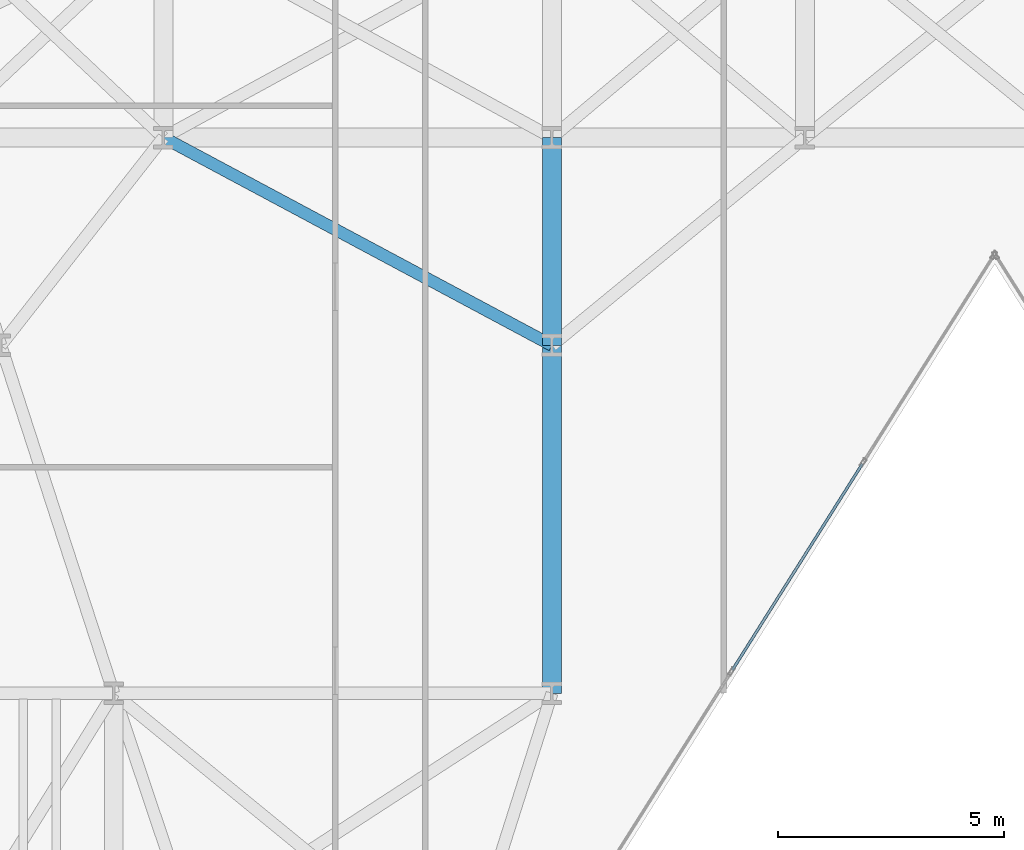
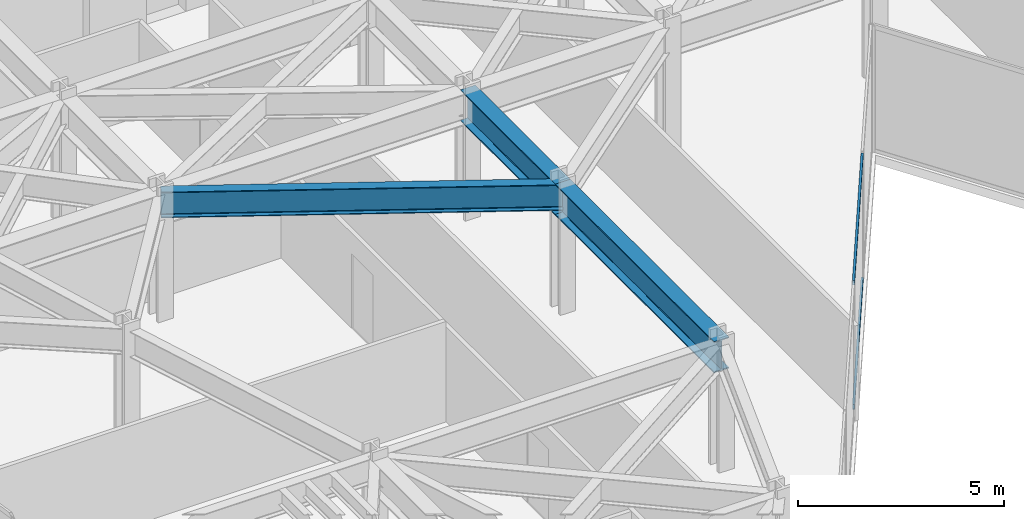
# One storey, part 9 of 24: 3 beams, 2 members, 1 element without a shape of its own.
"""IFC4 building model written with IfcOpenShell, lengths in metres."""

from ifc_helpers import new_model, si_unit, direction, frame, origin, origin_2d, place, context, subcontext, project, spatial, hollow_rectangle, i_section, extrude, material, layer, layer_set, material_profile, profile_set, type_object, element, aggregate, save


model = new_model("IFC4")

# Units and contexts
model_context = context("Model", 3, precision=1e-05, world=origin(), true_north=direction((0.0, 1.0)))
body_context = subcontext(model_context, "Body", "Model", "MODEL_VIEW")
ifc_project = project(units=[si_unit("LENGTHUNIT", "METRE"), si_unit("AREAUNIT", "SQUARE_METRE"), si_unit("VOLUMEUNIT", "CUBIC_METRE"), si_unit("PLANEANGLEUNIT", "RADIAN"), si_unit("MASSUNIT", "GRAM", prefix="KILO")], contexts=[model_context])

# Site, building, storey
site_placement = place(None, origin())
site = spatial("IfcSite", under=ifc_project, at=site_placement, CompositionType="ELEMENT")
building_placement = place(site_placement, origin())
building = spatial("IfcBuilding", under=site, at=building_placement, Name="Kravanh Interchange Tower", CompositionType="ELEMENT")
storey_placement = place(building_placement, frame((0.0, 0.0, 77.5)))
storey = spatial("IfcBuildingStorey", under=building, at=storey_placement, Name="L18", CompositionType="ELEMENT", Elevation=77.5)

# Curtain wall, members
ifc_material_1 = material(Name="Anodised Bronze Aluminium", Category="aluminium")
ifc_layer = layer(ifc_material_1, 0.179931640625)
ifc_layer_set = layer_set([ifc_layer], Name="Unitised Curtain Wall System CW-Z1 Lower Office")
curtain_wall_type = type_object("IfcCurtainWallType", Name="Unitised Curtain Wall System CW-Z1 Lower Office", PredefinedType="NOTDEFINED", material=ifc_layer_set)
curtain_wall_placement = place(storey_placement, origin())
curtain_wall = element("IfcCurtainWall", 1, at=curtain_wall_placement, inside=storey, type_object=curtain_wall_type, Name="L18 Unitised Curtain Wall CW-L18-05", PredefinedType="NOTDEFINED")
ifc_material_2 = material(Name="Anodised Bronze Aluminium", Category="aluminium")
ifc_material_profile_1 = material_profile(ifc_material_2, hollow_rectangle(XDim=0.06005859375, YDim=0.139892578125, WallThickness=0.00390625, at=origin_2d()), Name="ALU60X140X4")
ifc_profile_set_1 = profile_set([ifc_material_profile_1], Name="Anodised Bronze Aluminium")
member_type = type_object("IfcMemberType", Name="Curtain Wall Transom ALU60X140X4 Bronze", PredefinedType="USERDEFINED", material=ifc_profile_set_1)
member_1_placement = place(storey_placement, frame((34.068115234375, 19.574462890625, 0.030029296875), z_axis=(-0.533311487456, -0.84591894254, 0.0), x_axis=(0.84591894254, -0.533311487456, 0.0)))
member_1 = element("IfcMember", 2, at=member_1_placement, type_object=member_type, Name="CW-Z1 transom 2.1", ObjectType="TRANSOM", PredefinedType="USERDEFINED", context=body_context, shape_type="SweptSolid", body=[
    extrude(hollow_rectangle(XDim=0.06005859375, YDim=0.139892578125, WallThickness=0.00390625, at=origin_2d()), origin(), (0.0, 0.0, 1.0), 5.392578125),
])
member_2_placement = place(storey_placement, frame((34.068115234375, 19.574462890625, 3.7099609375), z_axis=(-0.533311487456, -0.84591894254, 0.0), x_axis=(0.84591894254, -0.533311487456, 0.0)))
member_2 = element("IfcMember", 3, at=member_2_placement, type_object=member_type, Name="CW-Z1 transom 2.2", ObjectType="TRANSOM", PredefinedType="USERDEFINED", context=body_context, shape_type="SweptSolid", body=[
    extrude(hollow_rectangle(XDim=0.06005859375, YDim=0.139892578125, WallThickness=0.00390625, at=origin_2d()), origin(), (0.0, 0.0, 1.0), 5.392578125),
])
aggregate(curtain_wall, [member_1, member_2])

# Beams
ifc_material_3 = material(Name="Structural Steel S355", Category="steel")
ifc_material_profile_2 = material_profile(ifc_material_3, i_section(OverallWidth=0.41796875, OverallDepth=0.927001953125, WebThickness=0.019287109375, FlangeThickness=0.031982421875, FilletRadius=0.028076171875, at=origin_2d()), Name="W36X231")
ifc_profile_set_2 = profile_set([ifc_material_profile_2], Name="Structural Steel S355")
beam_type_1 = type_object("IfcBeamType", Name="Floor Beam W36X231 Structural Steel S355", PredefinedType="BEAM", material=ifc_profile_set_2)
beam_1_placement = place(storey_placement, frame((27.199951171875, 22.199951171875, 3.276611328125), z_axis=(0.0, 1.0, 0.0), x_axis=(-1.0, 0.0, 0.0)))
element("IfcBeam", 4, at=beam_1_placement, inside=storey, type_object=beam_type_1, Name="L18 Primary Floor Girder 54", PredefinedType="BEAM", context=body_context, shape_type="SweptSolid", body=[
    extrude(i_section(OverallWidth=0.41796875, OverallDepth=0.927001953125, WebThickness=0.019287109375, FlangeThickness=0.031982421875, FilletRadius=0.028076171875, at=origin_2d()), origin(), (0.0, 0.0, 1.0), 4.60009765625),
])
beam_2_placement = place(storey_placement, frame((27.199951171875, 22.199951171875, 3.276611328125), z_axis=(0.0, -1.0, 0.0), x_axis=(1.0, 0.0, 0.0)))
element("IfcBeam", 5, at=beam_2_placement, inside=storey, type_object=beam_type_1, Name="L18 Primary Floor Girder 56", PredefinedType="BEAM", context=body_context, shape_type="SweptSolid", body=[
    extrude(i_section(OverallWidth=0.41796875, OverallDepth=0.927001953125, WebThickness=0.019287109375, FlangeThickness=0.031982421875, FilletRadius=0.028076171875, at=origin_2d()), origin(), (0.0, 0.0, 1.0), 7.699951171875),
])
ifc_material_4 = material(Name="Structural Steel S355", Category="steel")
ifc_material_profile_3 = material_profile(ifc_material_4, i_section(OverallWidth=0.26708984375, OverallDepth=0.761962890625, WebThickness=0.014404296875, FlangeThickness=0.021484375, FilletRadius=0.02490234375, at=origin_2d()), Name="W30X116")
ifc_profile_set_3 = profile_set([ifc_material_profile_3], Name="Structural Steel S355")
beam_type_2 = type_object("IfcBeamType", Name="Floor Spandrel W30X116 Structural Steel S355", PredefinedType="SPANDREL", material=ifc_profile_set_3)
beam_3_placement = place(storey_placement, frame((27.199951171875, 22.199951171875, 3.35888671875), z_axis=(-0.881777136221, 0.471666282489, 0.0), x_axis=(-0.471666282489, -0.881777136221, 0.0)))
element("IfcBeam", 6, at=beam_3_placement, inside=storey, type_object=beam_type_2, Name="L18 Perimeter Spandrel 57", PredefinedType="SPANDREL", context=body_context, shape_type="SweptSolid", body=[
    extrude(i_section(OverallWidth=0.26708984375, OverallDepth=0.761962890625, WebThickness=0.014404296875, FlangeThickness=0.021484375, FilletRadius=0.02490234375, at=origin_2d()), origin(), (0.0, 0.0, 1.0), 9.7529296875),
])

save(model, "model.ifc")
